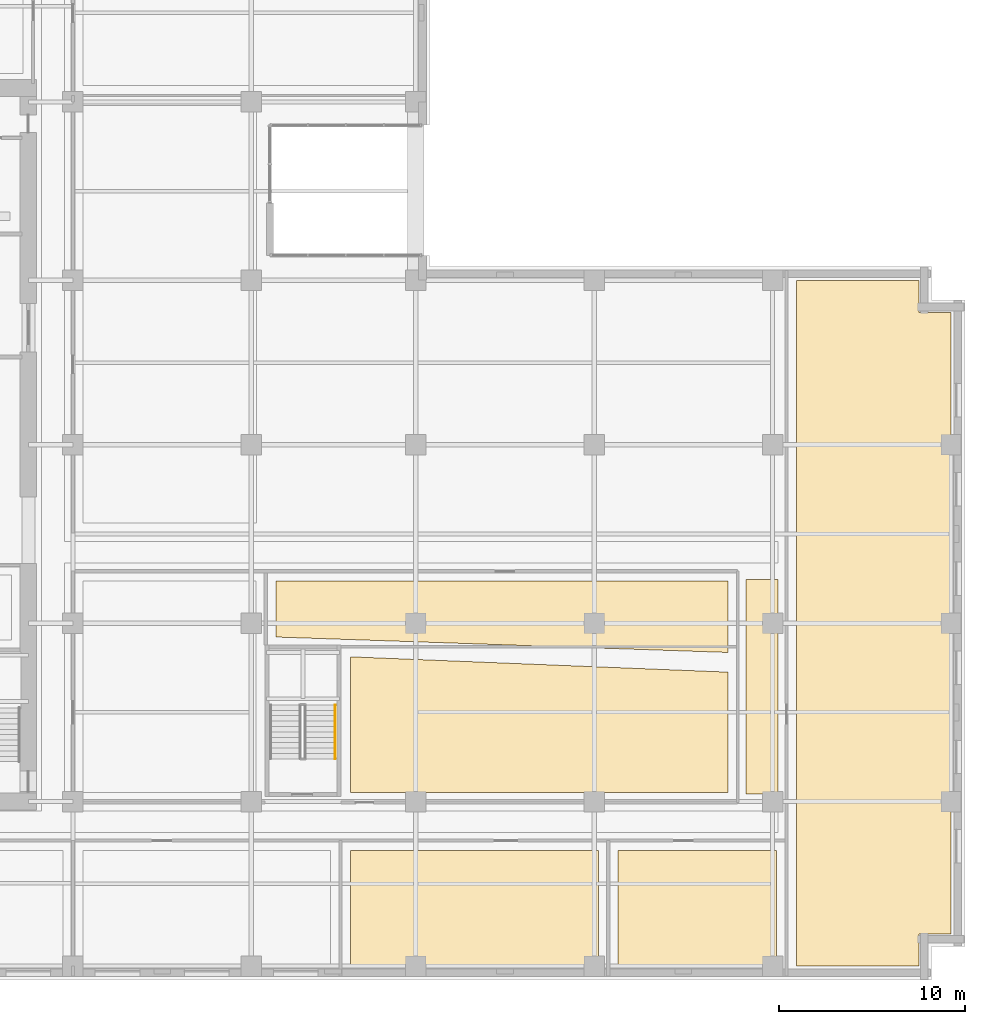
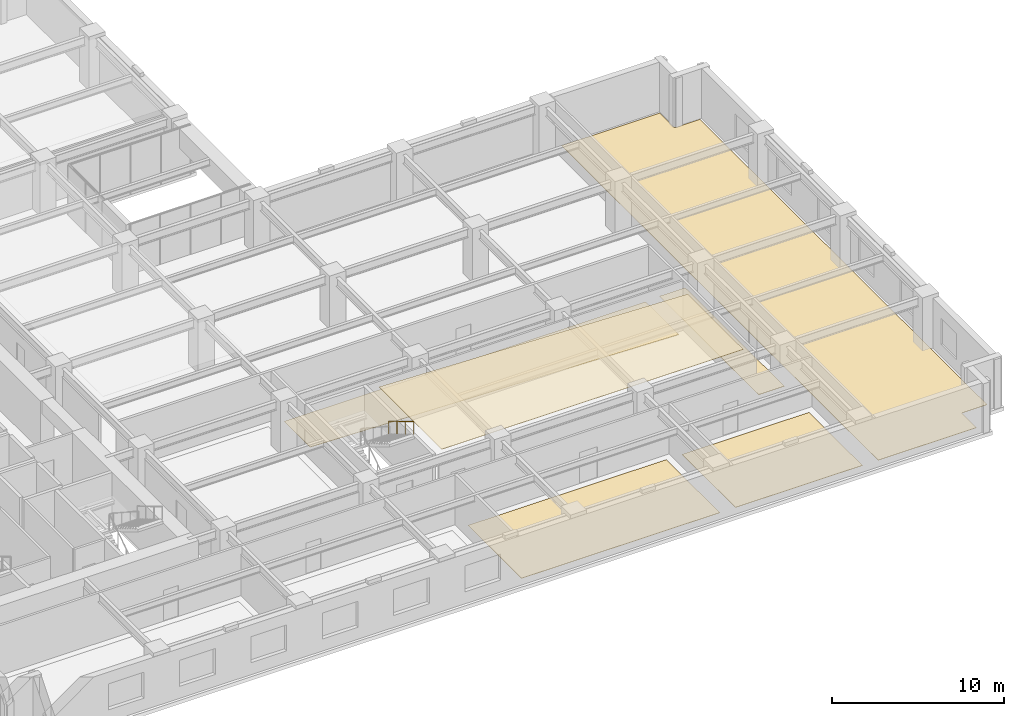
# One storey, part 11 of 14: 6 coverings, 1 railing.
"""IFC4 building model written with IfcOpenShell, lengths in metres."""

from ifc_helpers import new_model, si_unit, direction, frame, origin, origin_2d, place, context, subcontext, project, spatial, polyline, circle, outline, extrude, material, layer, layer_set, type_object, element, save


model = new_model("IFC4")

# Units and contexts
model_context = context("Model", 3, precision=1e-05, world=origin(), true_north=direction((0.0, 1.0)))
body_context = subcontext(model_context, "Body", "Model", "MODEL_VIEW")
ifc_project = project(units=[si_unit("LENGTHUNIT", "METRE"), si_unit("AREAUNIT", "SQUARE_METRE"), si_unit("VOLUMEUNIT", "CUBIC_METRE"), si_unit("PLANEANGLEUNIT", "RADIAN"), si_unit("MASSUNIT", "GRAM", prefix="KILO")], contexts=[model_context])

# Site, building, storey
site_placement = place(None, origin())
site = spatial("IfcSite", under=ifc_project, at=site_placement, CompositionType="ELEMENT")
building_placement = place(site_placement, origin())
building = spatial("IfcBuilding", under=site, at=building_placement, Name="Norrvale University Quadrangle", CompositionType="ELEMENT")
storey_placement = place(building_placement, frame((0.0, 0.0, 62.199951171875)))
storey = spatial("IfcBuildingStorey", under=building, at=storey_placement, Name="L15", CompositionType="ELEMENT", Elevation=62.199951171875)

# Coverings
ifc_material_1 = material(Name="Perforated Acoustic Mineral Ceiling")
ifc_layer_1 = layer(ifc_material_1, 0.02490234375, Name="Perforated Acoustic Mineral Ceiling")
ifc_layer_set_1 = layer_set([ifc_layer_1], Name="Perforated Acoustic Mineral Ceiling")
covering_type_1 = type_object("IfcCoveringType", Name="Covering Acoustic Ceiling 25", PredefinedType="CEILING", material=ifc_layer_set_1)
covering_1_placement = place(storey_placement, frame((0.0, 0.0, 3.51513671875)))
element("IfcCovering", 1, at=covering_1_placement, inside=storey, type_object=covering_type_1, Name="Acoustic Ceiling RM-L15-ISE", PredefinedType="CEILING", context=body_context, shape_type="SweptSolid", body=[
    extrude(outline(polyline([(34.14990234375, 10.080078125), (34.14990234375, 17.39111328125), (54.445068359375, 16.568115234375), (54.445068359375, 10.080078125), (34.14990234375, 10.080078125)])), origin(), (0.0, 0.0, 1.0), 0.02490234375),
])
ifc_material_2 = material(Name="Polished Terrazzo Flooring")
ifc_layer_2 = layer(ifc_material_2, 0.02490234375, Name="Polished Terrazzo Flooring")
ifc_layer_set_2 = layer_set([ifc_layer_2], Name="Polished Terrazzo Flooring")
covering_type_2 = type_object("IfcCoveringType", Name="Covering Terrazzo Floor 30", PredefinedType="FLOORING", material=ifc_layer_set_2)
covering_2_placement = place(storey_placement, origin())
element("IfcCovering", 2, at=covering_2_placement, inside=storey, type_object=covering_type_2, Name="Terrazzo Flooring RM-L15-CORR2", PredefinedType="FLOORING", context=body_context, shape_type="SweptSolid", body=[
    extrude(outline(polyline([(55.425048828125, 10.0), (55.425048828125, 21.550048828125), (57.14990234375, 21.550048828125), (57.14990234375, 10.0), (55.425048828125, 10.0)])), origin(), (0.0, 0.0, 1.0), 0.025146484375),
])
covering_3_placement = place(storey_placement, origin())
element("IfcCovering", 3, at=covering_3_placement, inside=storey, type_object=covering_type_2, Name="Terrazzo Flooring RM-L15-S03", PredefinedType="FLOORING", context=body_context, shape_type="SweptSolid", body=[
    extrude(outline(polyline([(47.469970703125, 6.969970703125), (47.469970703125, 0.75), (34.1298828125, 0.75), (34.1298828125, 6.969970703125), (47.469970703125, 6.969970703125)])), origin(), (0.0, 0.0, 1.0), 0.025146484375),
])
covering_4_placement = place(storey_placement, origin())
element("IfcCovering", 4, at=covering_4_placement, inside=storey, type_object=covering_type_2, Name="Terrazzo Flooring RM-L15-S04", PredefinedType="FLOORING", context=body_context, shape_type="SweptSolid", body=[
    extrude(outline(polyline([(57.070068359375, 6.969970703125), (57.070068359375, 0.75), (48.530029296875, 0.75), (48.530029296875, 6.969970703125), (57.070068359375, 6.969970703125)])), origin(), (0.0, 0.0, 1.0), 0.025146484375),
])
covering_5_placement = place(storey_placement, origin())
element("IfcCovering", 5, at=covering_5_placement, inside=storey, type_object=covering_type_2, Name="Terrazzo Flooring RM-L15-E01", PredefinedType="FLOORING", context=body_context, shape_type="SweptSolid", body=[
    extrude(outline(polyline([(58.1298828125, 37.64990234375), (64.72998046875, 37.64990234375), (64.72998046875, 35.929931640625), (66.449951171875, 35.929931640625), (66.449951171875, 2.469970703125), (64.72998046875, 2.469970703125), (64.72998046875, 0.75), (58.1298828125, 0.75), (58.1298828125, 37.64990234375)])), origin(), (0.0, 0.0, 1.0), 0.025146484375),
])
covering_6_placement = place(storey_placement, origin())
element("IfcCovering", 6, at=covering_6_placement, inside=storey, type_object=covering_type_2, Name="Terrazzo Flooring RM-L15-ILH", PredefinedType="FLOORING", context=body_context, shape_type="SweptSolid", body=[
    extrude(outline(polyline([(30.1298828125, 18.455078125), (30.1298828125, 21.469970703125), (54.445068359375, 21.469970703125), (54.445068359375, 17.6259765625), (30.1298828125, 18.455078125)])), origin(), (0.0, 0.0, 1.0), 0.025146484375),
])

# Railing
ifc_material_3 = material(Name="Stainless Steel 316L Handrail", Category="steel")
railing_type = type_object("IfcRailingType", Name="Railing Stair Handrail 920", PredefinedType="HANDRAIL", material=ifc_material_3)
railing_placement = place(storey_placement, frame((33.31005859375, 14.800048828125, 2.07275390625)))
element("IfcRailing", 7, at=railing_placement, inside=storey, type_object=railing_type, Name="Stair Upper Flight Handrail ST-04 L15", PredefinedType="HANDRAIL", context=body_context, shape_type="SweptSolid", body=[
    extrude(circle(Radius=0.02392578125, at=origin_2d()), frame((0.0, 0.0, 0.89599609375), z_axis=(0.0, -0.859160404282, 0.51170636083), x_axis=(1.0, 0.0, 0.0)), (0.0, 0.0, 1.0), 3.37548828125),
    extrude(circle(Radius=0.02099609375, at=origin_2d()), origin(), (0.0, 0.0, 1.0), 0.871826171875),
    extrude(circle(Radius=0.02099609375, at=origin_2d()), frame((0.0, -0.966796875, 0.57568359375)), (0.0, 0.0, 1.0), 0.871826171875),
    extrude(circle(Radius=0.02099609375, at=origin_2d()), frame((0.0, -1.933349609375, 1.151611328125)), (0.0, 0.0, 1.0), 0.871826171875),
    extrude(circle(Radius=0.02099609375, at=origin_2d()), frame((0.0, -2.900146484375, 1.727294921875)), (0.0, 0.0, 1.0), 0.871826171875),
])

save(model, "model.ifc")
